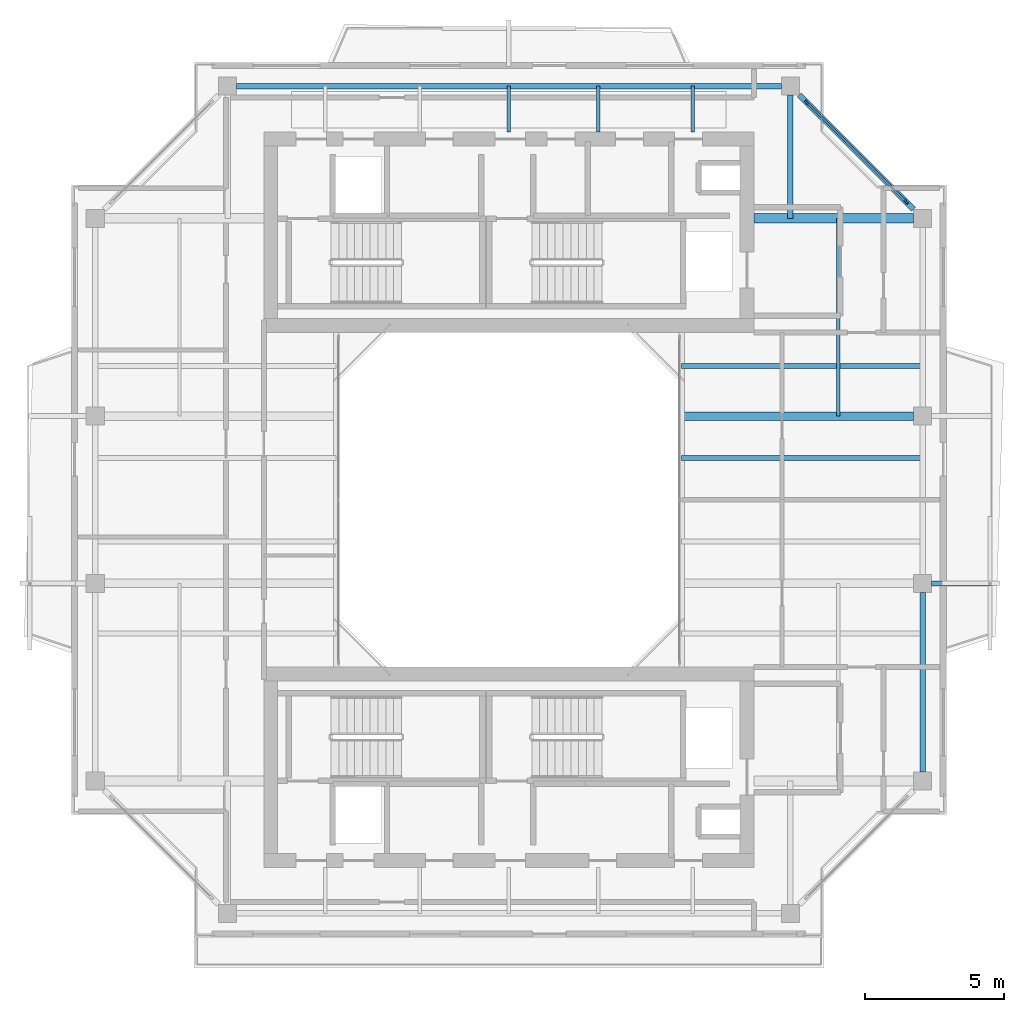
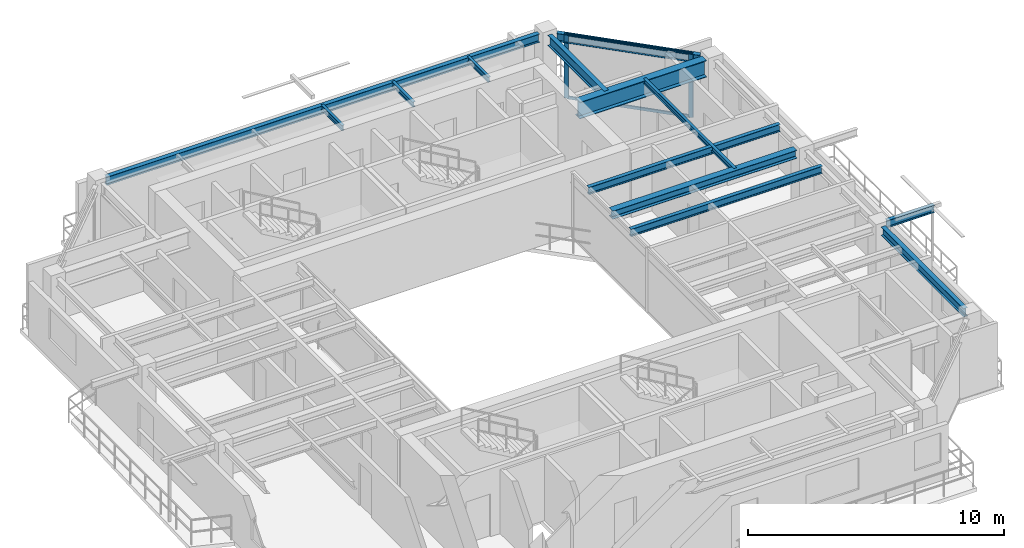
# One storey, part 6 of 15: 13 beams, 4 members, 1 element without a shape of its own.
"""IFC4 building model written with IfcOpenShell, lengths in metres."""

from ifc_helpers import new_model, si_unit, direction, frame, origin, origin_2d, place, context, subcontext, project, spatial, rectangle, i_section, extrude, source, transform, mapped, material, layer, layer_set, material_profile, profile_set, type_object, element, aggregate, save


model = new_model("IFC4")

# Units and contexts
model_context = context("Model", 3, precision=1e-05, world=origin(), true_north=direction((0.0, 1.0)))
body_context = subcontext(model_context, "Body", "Model", "MODEL_VIEW")
ifc_project = project(units=[si_unit("LENGTHUNIT", "METRE"), si_unit("AREAUNIT", "SQUARE_METRE"), si_unit("VOLUMEUNIT", "CUBIC_METRE"), si_unit("PLANEANGLEUNIT", "RADIAN"), si_unit("MASSUNIT", "GRAM", prefix="KILO"), si_unit("THERMODYNAMICTEMPERATUREUNIT", "KELVIN"), si_unit("POWERUNIT", "WATT")], contexts=[model_context])

# Site, building, storey
site_placement = place(None, origin())
site = spatial("IfcSite", under=ifc_project, at=site_placement, CompositionType="ELEMENT")
building_placement = place(site_placement, origin())
building = spatial("IfcBuilding", under=site, at=building_placement, Name="Qiaomeng Ring Towers", CompositionType="ELEMENT")
storey_placement = place(building_placement, frame((0.0, 0.0, 237.25)))
storey = spatial("IfcBuildingStorey", under=building, at=storey_placement, Name="L69", CompositionType="ELEMENT", Elevation=237.25)

# Beams
ifc_material_1 = material(Name="Steel Q355B", Category="steel")
ifc_material_profile_1 = material_profile(ifc_material_1, i_section(OverallWidth=0.198974609375, OverallDepth=0.39599609375, WebThickness=0.007080078125, FlangeThickness=0.010986328125, FilletRadius=0.01611328125, at=origin_2d()), Name="HN 396x199x7x11")
ifc_profile_set_1 = profile_set([ifc_material_profile_1], Name="Steel Q355B")
beam_type_1 = type_object("IfcBeamType", Name="STR-BM-HN396", PredefinedType="SPANDREL", material=ifc_profile_set_1)
shared_shape_1 = source(origin(), body_context, "Body", "SweptSolid", [
    extrude(i_section(OverallWidth=0.198974609375, OverallDepth=0.39599609375, WebThickness=0.007080078125, FlangeThickness=0.010986328125, FilletRadius=0.01611328125, at=origin_2d()), origin(), (0.0, 0.0, 1.0), 19.5517578125),
])
beam_1_placement = place(storey_placement, frame((28.77587890625, 37.85009765625, 2.8720703125), z_axis=(-1.0, 0.0, 0.0), x_axis=(0.0, -1.0, 0.0)))
element("IfcBeam", 1, at=beam_1_placement, inside=storey, type_object=beam_type_1, Name="L69 beam STR-SP-L69-T1-N2-N1", PredefinedType="SPANDREL", context=body_context, shape_type="MappedRepresentation", body=[
    mapped(shared_shape_1, transform((0.0, 0.0, 0.0), x_axis=(1.0, 0.0, 0.0), y_axis=(0.0, 1.0, 0.0), z_axis=(0.0, 0.0, 1.0), scale=1.0)),
])
shared_shape_2 = source(origin(), body_context, "Body", "SweptSolid", [
    extrude(i_section(OverallWidth=0.198974609375, OverallDepth=0.39599609375, WebThickness=0.007080078125, FlangeThickness=0.010986328125, FilletRadius=0.01611328125, at=origin_2d()), origin(), (0.0, 0.0, 1.0), 5.800048828125),
])
beam_2_placement = place(storey_placement, frame((33.525634765625, 33.42431640625, 2.8720703125), z_axis=(-0.707106781187, 0.707106781187, 0.0), x_axis=(-0.707106781187, -0.707106781187, 0.0)))
element("IfcBeam", 2, at=beam_2_placement, inside=storey, type_object=beam_type_1, Name="L69 beam STR-SP-L69-T1-E4-N2", PredefinedType="SPANDREL", context=body_context, shape_type="MappedRepresentation", body=[
    mapped(shared_shape_2, transform((0.0, 0.0, 0.0), x_axis=(1.0, 0.0, 0.0), y_axis=(0.0, 1.0, 0.0), z_axis=(0.0, 0.0, 1.0), scale=1.0)),
])
shared_shape_3 = source(origin(), body_context, "Body", "SweptSolid", [
    extrude(i_section(OverallWidth=0.198974609375, OverallDepth=0.39599609375, WebThickness=0.007080078125, FlangeThickness=0.010986328125, FilletRadius=0.01611328125, at=origin_2d()), origin(), (0.0, 0.0, 1.0), 6.451904296875),
])
beam_3_placement = place(storey_placement, frame((33.85009765625, 13.22412109375, 2.8720703125), z_axis=(0.0, 1.0, 0.0), x_axis=(-1.0, 0.0, 0.0)))
element("IfcBeam", 3, at=beam_3_placement, inside=storey, type_object=beam_type_1, Name="L69 beam STR-SP-L69-T1-E1-E2", PredefinedType="SPANDREL", context=body_context, shape_type="MappedRepresentation", body=[
    mapped(shared_shape_3, transform((0.0, 0.0, 0.0), x_axis=(1.0, 0.0, 0.0), y_axis=(0.0, 1.0, 0.0), z_axis=(0.0, 0.0, 1.0), scale=1.0)),
])
ifc_material_2 = material(Name="Steel Q390GJC", Category="steel")
ifc_material_profile_2 = material_profile(ifc_material_2, i_section(OverallWidth=0.35009765625, OverallDepth=0.800048828125, WebThickness=0.01611328125, FlangeThickness=0.028076171875, at=origin_2d()), Name="WH 800x350x16x28")
ifc_profile_set_2 = profile_set([ifc_material_profile_2], Name="Steel Q390GJC")
beam_type_2 = type_object("IfcBeamType", Name="STR-BM-WH800", PredefinedType="BEAM", material=ifc_profile_set_2)
shared_shape_4 = source(origin(), body_context, "Body", "SweptSolid", [
    extrude(i_section(OverallWidth=0.35009765625, OverallDepth=0.800048828125, WebThickness=0.01611328125, FlangeThickness=0.028076171875, at=origin_2d()), origin(), (0.0, 0.0, 1.0), 5.725830078125),
])
beam_4_placement = place(storey_placement, frame((27.800048828125, 33.10009765625, 2.669921875), z_axis=(1.0, 0.0, 0.0), x_axis=(0.0, 1.0, 0.0)))
element("IfcBeam", 4, at=beam_4_placement, inside=storey, type_object=beam_type_2, Name="L69 beam STR-BM-L69-T1-RAD-E4", PredefinedType="BEAM", context=body_context, shape_type="MappedRepresentation", body=[
    mapped(shared_shape_4, transform((0.0, 0.0, 0.0), x_axis=(1.0, 0.0, 0.0), y_axis=(0.0, 1.0, 0.0), z_axis=(0.0, 0.0, 1.0), scale=1.0)),
])
ifc_material_profile_3 = material_profile(ifc_material_1, i_section(OverallWidth=0.198974609375, OverallDepth=0.49609375, WebThickness=0.009033203125, FlangeThickness=0.013916015625, FilletRadius=0.01806640625, at=origin_2d()), Name="HN 496x199x9x14")
ifc_profile_set_3 = profile_set([ifc_material_profile_3], Name="Steel Q355B")
beam_type_3 = type_object("IfcBeamType", Name="STR-BM-HN496", PredefinedType="BEAM", material=ifc_profile_set_3)
shared_shape_5 = source(origin(), body_context, "Body", "SweptSolid", [
    extrude(i_section(OverallWidth=0.198974609375, OverallDepth=0.49609375, WebThickness=0.009033203125, FlangeThickness=0.013916015625, FilletRadius=0.01806640625, at=origin_2d()), origin(), (0.0, 0.0, 1.0), 4.42578125),
])
beam_5_placement = place(storey_placement, frame((29.10009765625, 37.52587890625, 2.822021484375), z_axis=(0.0, -1.0, 0.0), x_axis=(1.0, 0.0, 0.0)))
element("IfcBeam", 5, at=beam_5_placement, inside=storey, type_object=beam_type_3, Name="L69 beam STR-BM-L69-T1-RAD-N2", PredefinedType="BEAM", context=body_context, shape_type="MappedRepresentation", body=[
    mapped(shared_shape_5, transform((0.0, 0.0, 0.0), x_axis=(1.0, 0.0, 0.0), y_axis=(0.0, 1.0, 0.0), z_axis=(0.0, 0.0, 1.0), scale=1.0)),
])
ifc_material_profile_4 = material_profile(ifc_material_1, i_section(OverallWidth=0.300048828125, OverallDepth=0.389892578125, WebThickness=0.010009765625, FlangeThickness=0.01611328125, FilletRadius=0.02197265625, at=origin_2d()), Name="HM 390x300x10x16")
ifc_profile_set_4 = profile_set([ifc_material_profile_4], Name="Steel Q355B")
beam_type_4 = type_object("IfcBeamType", Name="STR-BM-HM390", PredefinedType="BEAM", material=ifc_profile_set_4)
shared_shape_6 = source(origin(), body_context, "Body", "SweptSolid", [
    extrude(i_section(OverallWidth=0.300048828125, OverallDepth=0.389892578125, WebThickness=0.010009765625, FlangeThickness=0.01611328125, FilletRadius=0.02197265625, at=origin_2d()), origin(), (0.0, 0.0, 1.0), 8.325927734375),
])
beam_6_placement = place(storey_placement, frame((25.199951171875, 26.0, 2.875), z_axis=(1.0, 0.0, 0.0), x_axis=(0.0, 1.0, 0.0)))
element("IfcBeam", 6, at=beam_6_placement, inside=storey, type_object=beam_type_4, Name="L69 beam STR-BM-L69-T1-RAD-E3", PredefinedType="BEAM", context=body_context, shape_type="MappedRepresentation", body=[
    mapped(shared_shape_6, transform((0.0, 0.0, 0.0), x_axis=(1.0, 0.0, 0.0), y_axis=(0.0, 1.0, 0.0), z_axis=(0.0, 0.0, 1.0), scale=1.0)),
])
ifc_material_profile_5 = material_profile(ifc_material_1, i_section(OverallWidth=0.125, OverallDepth=0.25, WebThickness=0.006103515625, FlangeThickness=0.009033203125, FilletRadius=0.011962890625, at=origin_2d()), Name="HN 250x125x6x9")
ifc_profile_set_5 = profile_set([ifc_material_profile_5], Name="Steel Q355B")
beam_type_5 = type_object("IfcBeamType", Name="STR-BM-HN250", PredefinedType="JOIST", material=ifc_profile_set_5)
shared_shape_7 = source(origin(), body_context, "Body", "SweptSolid", [
    extrude(i_section(OverallWidth=0.125, OverallDepth=0.25, WebThickness=0.006103515625, FlangeThickness=0.009033203125, FilletRadius=0.011962890625, at=origin_2d()), origin(), (0.0, 0.0, 1.0), 1.650146484375),
])
for number, where, z_axis, x_axis, name in (
    (7, (19.0, 36.199951171875, 2.945068359375), (0.0, 1.0, 0.0), (-1.0, 0.0, 0.0), "L69 beam STR-JST-L69-T1N-3"),
    (8, (22.199951171875, 36.199951171875, 2.945068359375), (0.0, 1.0, 0.0), (-1.0, 0.0, 0.0), "L69 beam STR-JST-L69-T1N-4"),
    (9, (25.60009765625, 36.199951171875, 2.945068359375), (0.0, 1.0, 0.0), (-1.0, 0.0, 0.0), "L69 beam STR-JST-L69-T1N-5"),
):
    element("IfcBeam", number, at=place(storey_placement, frame(where, z_axis=z_axis, x_axis=x_axis)), inside=storey, type_object=beam_type_5, Name=name, PredefinedType="JOIST", context=body_context, shape_type="MappedRepresentation", body=[
        mapped(shared_shape_7, transform((0.0, 0.0, 0.0), x_axis=(1.0, 0.0, 0.0), y_axis=(0.0, 1.0, 0.0), z_axis=(0.0, 0.0, 1.0), scale=1.0)),
    ])
ifc_material_profile_6 = material_profile(ifc_material_1, i_section(OverallWidth=0.175048828125, OverallDepth=0.35009765625, WebThickness=0.007080078125, FlangeThickness=0.010986328125, FilletRadius=0.013916015625, at=origin_2d()), Name="HN 350x175x7x11")
ifc_profile_set_6 = profile_set([ifc_material_profile_6], Name="Steel Q355B")
beam_type_6 = type_object("IfcBeamType", Name="STR-BM-HN350", PredefinedType="JOIST", material=ifc_profile_set_6)
shared_shape_8 = source(origin(), body_context, "Body", "SweptSolid", [
    extrude(i_section(OverallWidth=0.175048828125, OverallDepth=0.35009765625, WebThickness=0.007080078125, FlangeThickness=0.010986328125, FilletRadius=0.013916015625, at=origin_2d()), origin(), (0.0, 0.0, 1.0), 8.650146484375),
])
for number, where, z_axis, x_axis, name in (
    (10, (25.199951171875, 24.5, 2.89501953125), (1.0, 0.0, 0.0), (0.0, 1.0, 0.0), "L69 beam STR-JST-L69-T1E-3"),
    (11, (25.199951171875, 27.800048828125, 2.89501953125), (1.0, 0.0, 0.0), (0.0, 1.0, 0.0), "L69 beam STR-JST-L69-T1E-4"),
):
    element("IfcBeam", number, at=place(storey_placement, frame(where, z_axis=z_axis, x_axis=x_axis)), inside=storey, type_object=beam_type_6, Name=name, PredefinedType="JOIST", context=body_context, shape_type="MappedRepresentation", body=[
        mapped(shared_shape_8, transform((0.0, 0.0, 0.0), x_axis=(1.0, 0.0, 0.0), y_axis=(0.0, 1.0, 0.0), z_axis=(0.0, 0.0, 1.0), scale=1.0)),
    ])
shared_shape_9 = source(origin(), body_context, "Body", "SweptSolid", [
    extrude(i_section(OverallWidth=0.125, OverallDepth=0.25, WebThickness=0.006103515625, FlangeThickness=0.009033203125, FilletRadius=0.011962890625, at=origin_2d()), origin(), (0.0, 0.0, 1.0), 7.10009765625),
])
beam_7_placement = place(storey_placement, frame((30.824951171875, 26.0, 2.945068359375), z_axis=(0.0, 1.0, 0.0), x_axis=(-1.0, 0.0, 0.0)))
element("IfcBeam", 12, at=beam_7_placement, inside=storey, type_object=beam_type_5, Name="L69 beam STR-JST-L69-T1C-EN", PredefinedType="JOIST", context=body_context, shape_type="MappedRepresentation", body=[
    mapped(shared_shape_9, transform((0.0, 0.0, 0.0), x_axis=(1.0, 0.0, 0.0), y_axis=(0.0, 1.0, 0.0), z_axis=(0.0, 0.0, 1.0), scale=1.0)),
])
shared_shape_10 = source(origin(), body_context, "Body", "SweptSolid", [
    extrude(i_section(OverallWidth=0.175048828125, OverallDepth=0.35009765625, WebThickness=0.007080078125, FlangeThickness=0.010986328125, FilletRadius=0.013916015625, at=origin_2d()), origin(), (0.0, 0.0, 1.0), 2.14599609375),
])
beam_8_placement = place(storey_placement, frame((34.174072265625, 20.0, 2.89501953125), z_axis=(1.0, 0.0, 0.0), x_axis=(0.0, 1.0, 0.0)))
element("IfcBeam", 13, at=beam_8_placement, inside=storey, type_object=beam_type_6, Name="L69 beam STR-BALBM-L69-E2", PredefinedType="JOIST", context=body_context, shape_type="MappedRepresentation", body=[
    mapped(shared_shape_10, transform((0.0, 0.0, 0.0), x_axis=(1.0, 0.0, 0.0), y_axis=(0.0, 1.0, 0.0), z_axis=(0.0, 0.0, 1.0), scale=1.0)),
])

# Curtain wall, members
ifc_material_3 = material(Name="Fluorocarbon dark-grey aluminium", Category="aluminium")
ifc_layer = layer(ifc_material_3, 0.14990234375, Name="Fluorocarbon dark-grey aluminium")
ifc_layer_set = layer_set([ifc_layer], Name="Fluorocarbon dark-grey aluminium")
curtain_wall_type = type_object("IfcCurtainWallType", Name="ARC-CW-3", PredefinedType="NOTDEFINED", material=ifc_layer_set)
curtain_wall_placement = place(storey_placement, origin())
curtain_wall = element("IfcCurtainWall", 14, at=curtain_wall_placement, inside=storey, type_object=curtain_wall_type, Name="L69 Curtain Wall CW3", PredefinedType="NOTDEFINED")
ifc_material_profile_7 = material_profile(ifc_material_3, rectangle(XDim=0.070068359375, YDim=0.179931640625, at=origin_2d()), Name="ALU MULL 70x180")
ifc_profile_set_7 = profile_set([ifc_material_profile_7], Name="Fluorocarbon dark-grey aluminium")
member_type_1 = type_object("IfcMemberType", Name="ARC-CWM-160", PredefinedType="MULLION", material=ifc_profile_set_7)
shared_shape_11 = source(origin(), body_context, "Body", "SweptSolid", [
    extrude(rectangle(XDim=0.070068359375, YDim=0.179931640625, at=origin_2d()), origin(), (0.0, 0.0, 1.0), 3.070068359375),
])
member_1_placement = place(storey_placement, frame((33.26025390625, 33.689697265625, 0.0), z_axis=(0.0, 0.0, 1.0), x_axis=(-0.707106781187, -0.707106781187, 0.0)))
member_1 = element("IfcMember", 15, at=member_1_placement, type_object=member_type_1, Name="CW3 mullion 1", PredefinedType="MULLION", context=body_context, shape_type="MappedRepresentation", body=[
    mapped(shared_shape_11, transform((0.0, 0.0, 0.0), x_axis=(1.0, 0.0, 0.0), y_axis=(0.0, 1.0, 0.0), z_axis=(0.0, 0.0, 1.0), scale=1.0)),
])
member_2_placement = place(storey_placement, frame((29.689697265625, 37.26025390625, 0.0), z_axis=(0.0, 0.0, 1.0), x_axis=(-0.707106781187, -0.707106781187, 0.0)))
member_2 = element("IfcMember", 16, at=member_2_placement, type_object=member_type_1, Name="CW3 mullion 2", PredefinedType="MULLION", context=body_context, shape_type="MappedRepresentation", body=[
    mapped(shared_shape_11, transform((0.0, 0.0, 0.0), x_axis=(1.0, 0.0, 0.0), y_axis=(0.0, 1.0, 0.0), z_axis=(0.0, 0.0, 1.0), scale=1.0)),
])
ifc_material_profile_8 = material_profile(ifc_material_3, rectangle(XDim=0.06494140625, YDim=0.1298828125, at=origin_2d()), Name="ALU TRAN 65x130")
ifc_profile_set_8 = profile_set([ifc_material_profile_8], Name="Fluorocarbon dark-grey aluminium")
member_type_2 = type_object("IfcMemberType", Name="ARC-CWT-120", PredefinedType="USERDEFINED", material=ifc_profile_set_8)
shared_shape_12 = source(origin(), body_context, "Body", "SweptSolid", [
    extrude(rectangle(XDim=0.06494140625, YDim=0.1298828125, at=origin_2d()), origin(), (0.0, 0.0, 1.0), 4.9794921875),
])
member_3_placement = place(storey_placement, frame((33.235595703125, 33.714599609375, 0.032470703125), z_axis=(-0.707106781187, 0.707106781187, 0.0), x_axis=(-0.707106781187, -0.707106781187, 0.0)))
member_3 = element("IfcMember", 17, at=member_3_placement, type_object=member_type_2, Name="CW3 transom 1.1", ObjectType="TRANSOM", PredefinedType="USERDEFINED", context=body_context, shape_type="MappedRepresentation", body=[
    mapped(shared_shape_12, transform((0.0, 0.0, 0.0), x_axis=(1.0, 0.0, 0.0), y_axis=(0.0, 1.0, 0.0), z_axis=(0.0, 0.0, 1.0), scale=1.0)),
])
member_4_placement = place(storey_placement, frame((33.235595703125, 33.714599609375, 3.03759765625), z_axis=(-0.707106781187, 0.707106781187, 0.0), x_axis=(-0.707106781187, -0.707106781187, 0.0)))
member_4 = element("IfcMember", 18, at=member_4_placement, type_object=member_type_2, Name="CW3 transom 1.2", ObjectType="TRANSOM", PredefinedType="USERDEFINED", context=body_context, shape_type="MappedRepresentation", body=[
    mapped(shared_shape_12, transform((0.0, 0.0, 0.0), x_axis=(1.0, 0.0, 0.0), y_axis=(0.0, 1.0, 0.0), z_axis=(0.0, 0.0, 1.0), scale=1.0)),
])
aggregate(curtain_wall, [member_1, member_2, member_3, member_4])

save(model, "model.ifc")
